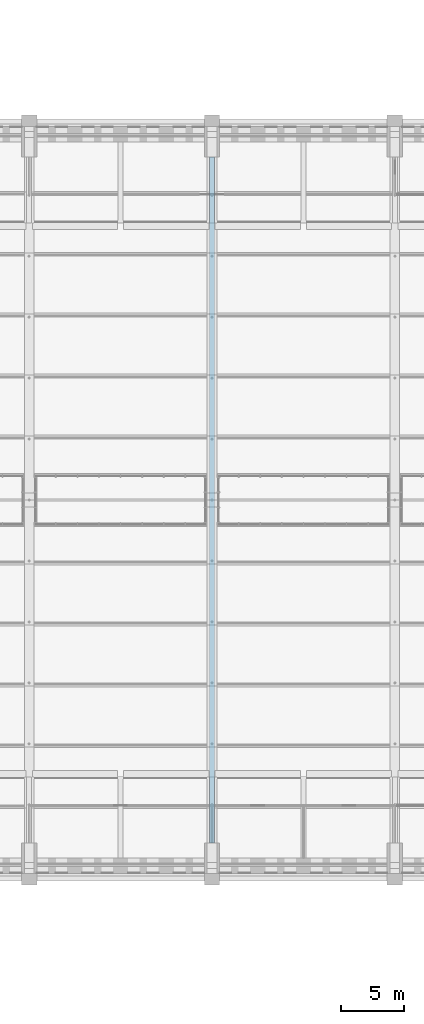
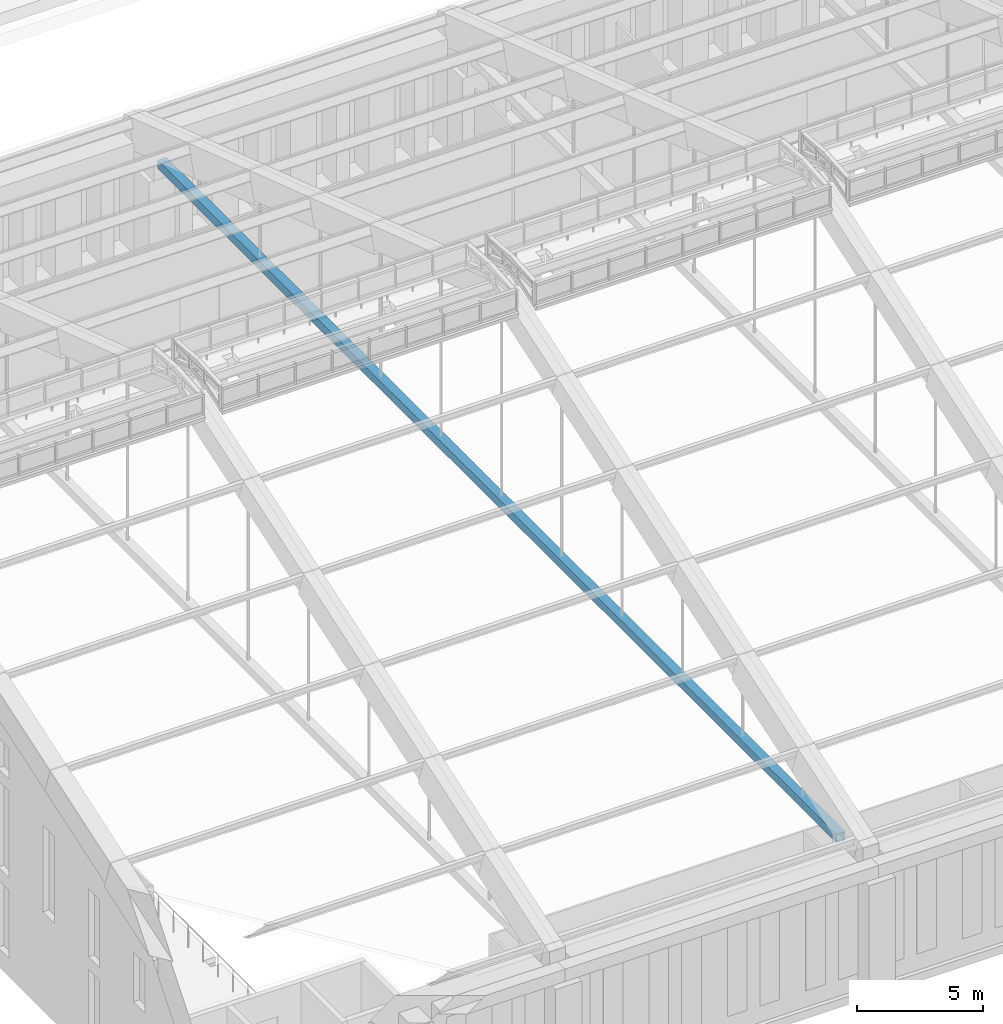
# One storey, part 38 of 149: 1 member.
"""IFC4 building model written with IfcOpenShell, lengths in metres."""

from ifc_helpers import new_model, si_unit, direction, frame, origin, origin_2d, place, context, subcontext, project, spatial, hollow_rectangle, extrude, material, material_profile, profile_set, type_object, element, save


model = new_model("IFC4")

# Units and contexts
model_context = context("Model", 3, precision=1e-05, world=origin(), true_north=direction((0.0, 1.0)))
body_context = subcontext(model_context, "Body", "Model", "MODEL_VIEW")
ifc_project = project(units=[si_unit("LENGTHUNIT", "METRE"), si_unit("AREAUNIT", "SQUARE_METRE"), si_unit("VOLUMEUNIT", "CUBIC_METRE"), si_unit("PLANEANGLEUNIT", "RADIAN"), si_unit("MASSUNIT", "GRAM", prefix="KILO")], contexts=[model_context])

# Site, building, storey
site_placement = place(None, origin())
site = spatial("IfcSite", under=ifc_project, at=site_placement, CompositionType="ELEMENT")
building_placement = place(site_placement, origin())
building = spatial("IfcBuilding", under=site, at=building_placement, Name="Alderwick Market Hall", CompositionType="ELEMENT")
storey_placement = place(building_placement, frame((0.0, 0.0, 9.60009765625)))
storey = spatial("IfcBuildingStorey", under=building, at=storey_placement, Name="L01", CompositionType="ELEMENT", Elevation=9.60009765625)

# Member
ifc_material = material(Name="Steel ASTM A500 Grade C", Category="steel")
ifc_material_profile = material_profile(ifc_material, hollow_rectangle(XDim=0.406494140625, YDim=0.406494140625, WallThickness=0.0146484375, at=origin_2d()), Name="HSS16x16x5/8")
ifc_profile_set = profile_set([ifc_material_profile], Name="Steel ASTM A500 Grade C")
member_type = type_object("IfcMemberType", Name="R Tie HSS16x16x5/8", PredefinedType="USERDEFINED", material=ifc_profile_set)
member_placement = place(storey_placement, frame((79.199951171875, 52.199951171875, 6.14990234375), z_axis=(0.0, 1.0, 0.0), x_axis=(-1.0, 0.0, 0.0)))
element("IfcMember", 1, at=member_placement, inside=storey, type_object=member_type, Name="Arch tie 3", ObjectType="TIE", PredefinedType="USERDEFINED", context=body_context, shape_type="SweptSolid", body=[
    extrude(hollow_rectangle(XDim=0.406494140625, YDim=0.406494140625, WallThickness=0.0146484375, at=origin_2d()), origin(), (0.0, 0.0, 1.0), 54.0),
])

save(model, "model.ifc")
